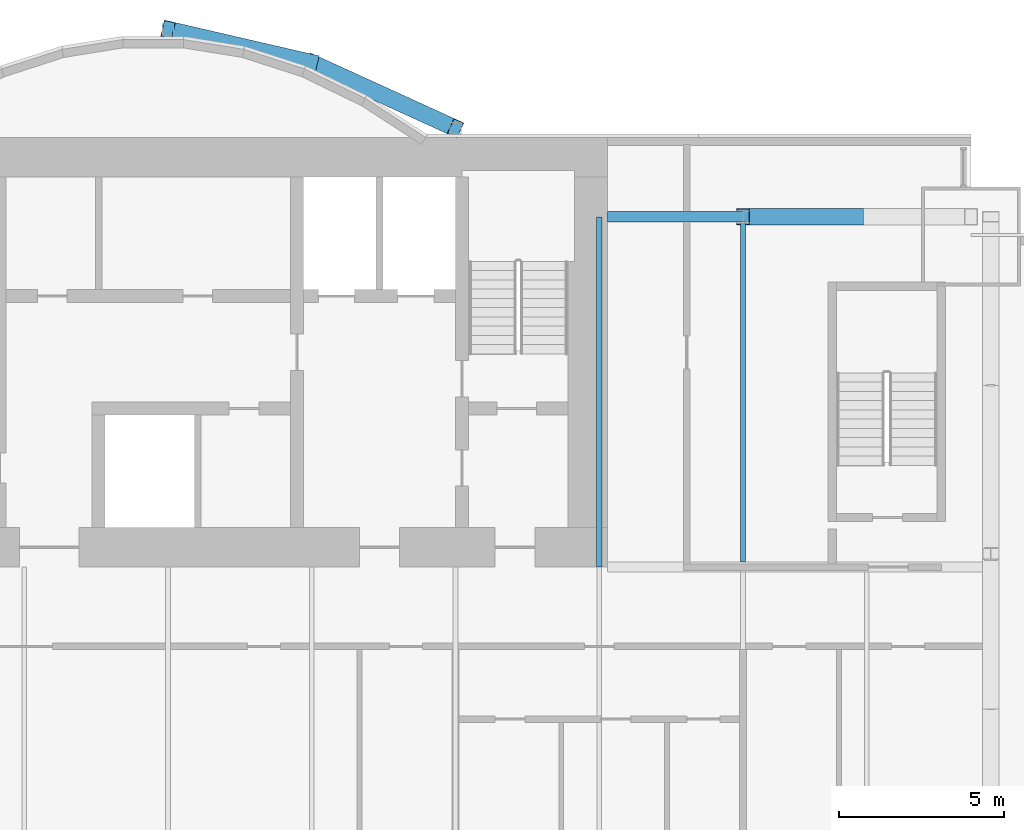
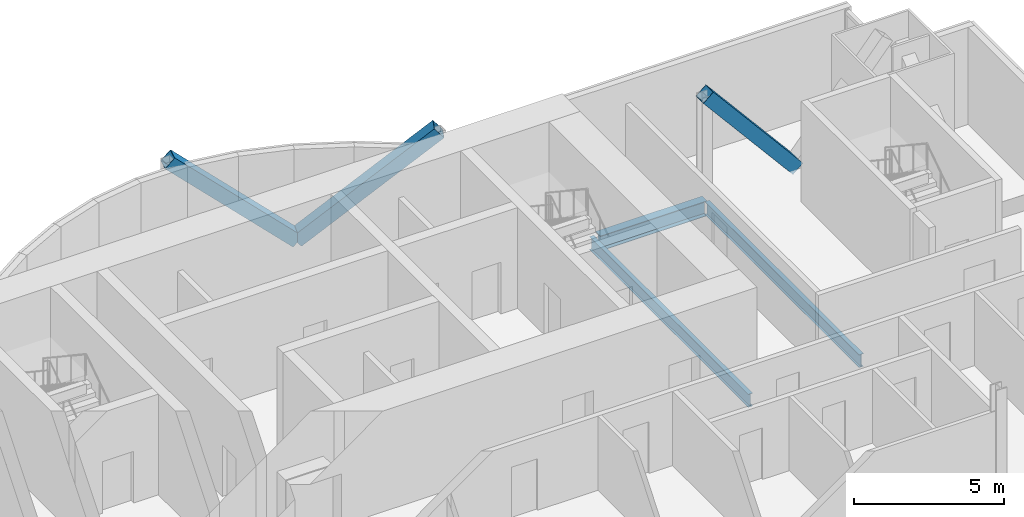
# One storey, part 11 of 21: 3 beams, 3 members.
"""IFC4 building model written with IfcOpenShell, lengths in metres."""

from ifc_helpers import new_model, si_unit, direction, frame, origin, origin_2d, place, context, subcontext, project, spatial, hollow_rectangle, i_section, extrude, material, material_profile, profile_set, type_object, element, save


model = new_model("IFC4")

# Units and contexts
model_context = context("Model", 3, precision=1e-05, world=origin(), true_north=direction((0.0, 1.0)))
body_context = subcontext(model_context, "Body", "Model", "MODEL_VIEW")
ifc_project = project(units=[si_unit("LENGTHUNIT", "METRE"), si_unit("AREAUNIT", "SQUARE_METRE"), si_unit("VOLUMEUNIT", "CUBIC_METRE"), si_unit("PLANEANGLEUNIT", "RADIAN"), si_unit("MASSUNIT", "GRAM", prefix="KILO")], contexts=[model_context])

# Site, building, storey
site_placement = place(None, origin())
site = spatial("IfcSite", under=ifc_project, at=site_placement, CompositionType="ELEMENT")
building_placement = place(site_placement, origin())
building = spatial("IfcBuilding", under=site, at=building_placement, Name="Bicima Exchange Tower", CompositionType="ELEMENT")
storey_placement = place(building_placement, frame((0.0, 0.0, 122.699951171875)))
storey = spatial("IfcBuildingStorey", under=building, at=storey_placement, Name="L26", CompositionType="ELEMENT", Elevation=122.699951171875)

# Beams
ifc_material_1 = material(Name="Steel ASTM A992 Gr 50", Category="steel")
ifc_material_profile_1 = material_profile(ifc_material_1, i_section(OverallWidth=0.165771484375, OverallDepth=0.5283203125, WebThickness=0.009765625, FlangeThickness=0.013671875, at=origin_2d()))
ifc_profile_set_1 = profile_set([ifc_material_profile_1], Name="Steel ASTM A992 Gr 50")
beam_type_1 = type_object("IfcBeamType", Name="Floor beam W21x50", PredefinedType="JOIST", material=ifc_profile_set_1)
beam_1_placement = place(storey_placement, frame((21.75, -2.39990234375, -0.4140625), z_axis=(0.0, -1.0, 0.0), x_axis=(1.0, 0.0, 0.0)))
element("IfcBeam", 1, at=beam_1_placement, inside=storey, type_object=beam_type_1, Name="Floor beam", PredefinedType="JOIST", context=body_context, shape_type="SweptSolid", body=[
    extrude(i_section(OverallWidth=0.165771484375, OverallDepth=0.5283203125, WebThickness=0.009765625, FlangeThickness=0.013671875, at=origin_2d()), origin(), (0.0, 0.0, 1.0), 10.60009765625),
])
beam_2_placement = place(storey_placement, frame((26.10009765625, -2.5625, -0.4140625), z_axis=(0.0, -1.0, 0.0), x_axis=(1.0, 0.0, 0.0)))
element("IfcBeam", 2, at=beam_2_placement, inside=storey, type_object=beam_type_1, Name="Floor beam", PredefinedType="JOIST", context=body_context, shape_type="SweptSolid", body=[
    extrude(i_section(OverallWidth=0.165771484375, OverallDepth=0.5283203125, WebThickness=0.009765625, FlangeThickness=0.013671875, at=origin_2d()), origin(), (0.0, 0.0, 1.0), 10.28515625),
])

# Members
ifc_material_2 = material(Name="Steel ASTM A572 Gr 50", Category="steel")
ifc_material_profile_2 = material_profile(ifc_material_2, hollow_rectangle(XDim=0.508056640625, YDim=0.508056640625, WallThickness=0.0146484375, at=origin_2d()))
ifc_profile_set_2 = profile_set([ifc_material_profile_2], Name="Steel ASTM A572 Gr 50")
member_type = type_object("IfcMemberType", Name="Mega brace HSS20x20x5/8", PredefinedType="BRACE", material=ifc_profile_set_2)
member_1_placement = place(storey_placement, frame((13.050048828125, 2.262451171875, 0.0), z_axis=(0.690628963585, -0.315060460011, 0.650975069565), x_axis=(0.415045223819, 0.909800781592, 0.0)))
element("IfcMember", 3, at=member_1_placement, inside=storey, type_object=member_type, Name="Mega brace rexo", PredefinedType="BRACE", context=body_context, shape_type="SweptSolid", body=[
    extrude(hollow_rectangle(XDim=0.508056640625, YDim=0.508056640625, WallThickness=0.0146484375, at=origin_2d()), origin(), (0.0, 0.0, 1.0), 6.29833984375),
])
member_2_placement = place(storey_placement, frame((13.050048828125, 2.262451171875, 0.0), z_axis=(-0.717605620354, 0.166050509188, 0.676364843878), x_axis=(-0.225438503722, -0.974257399787, 0.0)))
element("IfcMember", 4, at=member_2_placement, inside=storey, type_object=member_type, Name="Mega brace rexo", PredefinedType="BRACE", context=body_context, shape_type="SweptSolid", body=[
    extrude(hollow_rectangle(XDim=0.508056640625, YDim=0.508056640625, WallThickness=0.0146484375, at=origin_2d()), origin(), (0.0, 0.0, 1.0), 6.06201171875),
])
member_3_placement = place(storey_placement, frame((29.550048828125, -2.39990234375, 0.0), z_axis=(-0.643834042494, 0.0, 0.765165162384), x_axis=(0.0, -1.0, 0.0)))
element("IfcMember", 5, at=member_3_placement, inside=storey, type_object=member_type, Name="Mega brace rear", PredefinedType="BRACE", context=body_context, shape_type="SweptSolid", body=[
    extrude(hollow_rectangle(XDim=0.508056640625, YDim=0.508056640625, WallThickness=0.0146484375, at=origin_2d()), origin(), (0.0, 0.0, 1.0), 5.3583984375),
])

# Beam
ifc_material_profile_3 = material_profile(ifc_material_1, i_section(OverallWidth=0.3251953125, OverallDepth=0.612060546875, WebThickness=0.0126953125, FlangeThickness=0.01904296875, at=origin_2d()))
ifc_profile_set_3 = profile_set([ifc_material_profile_3], Name="Steel ASTM A992 Gr 50")
beam_type_2 = type_object("IfcBeamType", Name="Rear girder W24x104", PredefinedType="BEAM", material=ifc_profile_set_3)
beam_3_placement = place(storey_placement, frame((22.0, -2.39990234375, -0.4560546875), z_axis=(1.0, 0.0, 0.0), x_axis=(0.0, 1.0, 0.0)))
element("IfcBeam", 6, at=beam_3_placement, inside=storey, type_object=beam_type_2, Name="Rear girder", PredefinedType="BEAM", context=body_context, shape_type="SweptSolid", body=[
    extrude(i_section(OverallWidth=0.3251953125, OverallDepth=0.612060546875, WebThickness=0.0126953125, FlangeThickness=0.01904296875, at=origin_2d()), origin(), (0.0, 0.0, 1.0), 4.10009765625),
])

save(model, "model.ifc")
